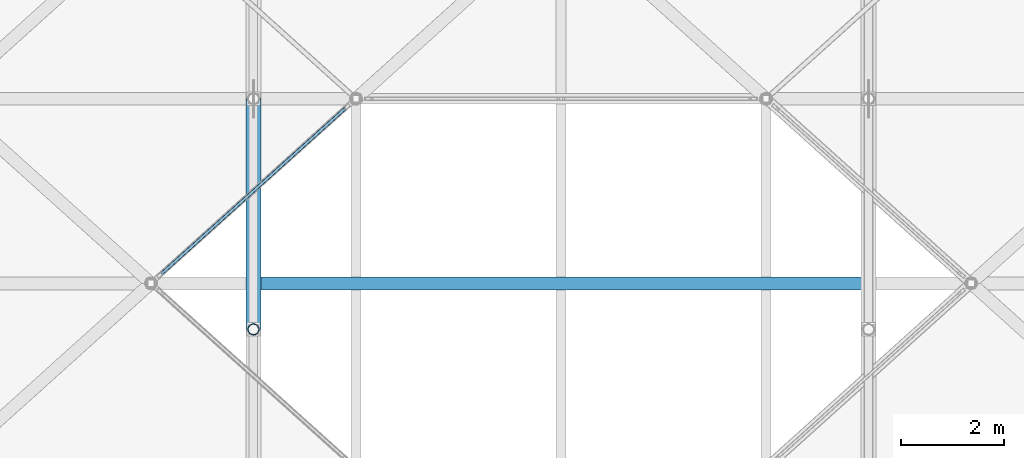
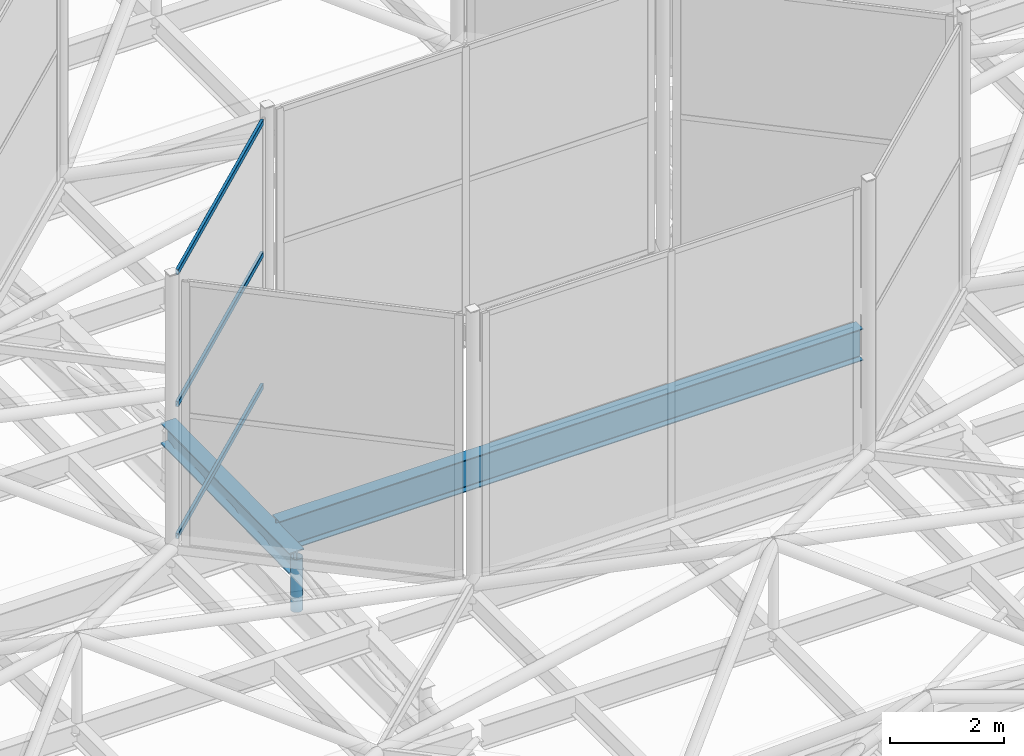
# One storey, part 90 of 239: 4 members, 2 beams, 1 element without a shape of its own.
"""IFC4 building model written with IfcOpenShell, lengths in metres."""

from ifc_helpers import new_model, si_unit, direction, frame, origin, origin_2d, place, context, subcontext, project, spatial, hollow_rectangle, hollow_circle, i_section, extrude, material, layer, layer_set, material_profile, profile_set, type_object, element, aggregate, save


model = new_model("IFC4")

# Units and contexts
model_context = context("Model", 3, precision=1e-05, world=origin(), true_north=direction((0.0, 1.0)))
body_context = subcontext(model_context, "Body", "Model", "MODEL_VIEW")
ifc_project = project(units=[si_unit("LENGTHUNIT", "METRE"), si_unit("AREAUNIT", "SQUARE_METRE"), si_unit("VOLUMEUNIT", "CUBIC_METRE"), si_unit("PLANEANGLEUNIT", "RADIAN"), si_unit("MASSUNIT", "GRAM", prefix="KILO")], contexts=[model_context])

# Site, building, storey
site_placement = place(None, origin())
site = spatial("IfcSite", under=ifc_project, at=site_placement, CompositionType="ELEMENT")
building_placement = place(site_placement, origin())
building = spatial("IfcBuilding", under=site, at=building_placement, Name="Dunvalen Ferry Terminal", CompositionType="ELEMENT")
storey_placement = place(building_placement, frame((0.0, 0.0, 9.840087890625)))
storey = spatial("IfcBuildingStorey", under=building, at=storey_placement, Name="L02", CompositionType="ELEMENT", Elevation=9.840087890625)

# Curtain wall, members
ifc_material_1 = material(Name="Anodised marine aluminium and solar-control glazing", Category="aluminium")
ifc_layer = layer(ifc_material_1, 0.179931640625, Name="Anodised marine aluminium and solar-control glazing")
ifc_layer_set = layer_set([ifc_layer], Name="Anodised marine aluminium and solar-control glazing")
curtain_wall_type = type_object("IfcCurtainWallType", Name="ENV-CW-SYS-06", PredefinedType="NOTDEFINED", material=ifc_layer_set)
curtain_wall_placement = place(storey_placement, origin())
curtain_wall = element("IfcCurtainWall", 1, at=curtain_wall_placement, inside=storey, type_object=curtain_wall_type, Name="L02 Curtain Wall CW-HEX-25-SK-6", PredefinedType="NOTDEFINED")
ifc_material_2 = material(Name="Anodised marine aluminium EN AW-6063 T6", Category="aluminium")
ifc_material_profile_1 = material_profile(ifc_material_2, hollow_rectangle(XDim=0.06005859375, YDim=0.114990234375, WallThickness=0.0029296875, InnerFilletRadius=0.0029296875, OuterFilletRadius=0.006103515625, at=origin_2d()), Name="Anodised marine aluminium EN AW-6063 T6")
ifc_profile_set_1 = profile_set([ifc_material_profile_1], Name="Anodised marine aluminium EN AW-6063 T6")
member_type_1 = type_object("IfcMemberType", Name="ENV-CW-TRN-3", PredefinedType="USERDEFINED", material=ifc_profile_set_1)
member_1_placement = place(storey_placement, frame((49.7919921875, 68.212646484375, 1.169921875), z_axis=(-0.743319323261, -0.668936756104, 0.0), x_axis=(0.668936756104, -0.743319323261, 0.0)))
member_1 = element("IfcMember", 2, at=member_1_placement, type_object=member_type_1, Name="CW-06 transom 1.1", ObjectType="TRANSOM", PredefinedType="USERDEFINED", context=body_context, shape_type="SweptSolid", body=[
    extrude(hollow_rectangle(XDim=0.06005859375, YDim=0.114990234375, WallThickness=0.0029296875, InnerFilletRadius=0.0029296875, OuterFilletRadius=0.006103515625, at=origin_2d()), origin(), (0.0, 0.0, 1.0), 4.821533203125),
])
member_2_placement = place(storey_placement, frame((49.7919921875, 68.212646484375, 3.989990234375), z_axis=(-0.743319323261, -0.668936756104, 0.0), x_axis=(0.668936756104, -0.743319323261, 0.0)))
member_2 = element("IfcMember", 3, at=member_2_placement, type_object=member_type_1, Name="CW-06 transom 1.2", ObjectType="TRANSOM", PredefinedType="USERDEFINED", context=body_context, shape_type="SweptSolid", body=[
    extrude(hollow_rectangle(XDim=0.06005859375, YDim=0.114990234375, WallThickness=0.0029296875, InnerFilletRadius=0.0029296875, OuterFilletRadius=0.006103515625, at=origin_2d()), origin(), (0.0, 0.0, 1.0), 4.821533203125),
])
member_3_placement = place(storey_placement, frame((49.7919921875, 68.212646484375, 6.809814453125), z_axis=(-0.743319323261, -0.668936756104, 0.0), x_axis=(0.668936756104, -0.743319323261, 0.0)))
member_3 = element("IfcMember", 4, at=member_3_placement, type_object=member_type_1, Name="CW-06 transom 1.3", ObjectType="TRANSOM", PredefinedType="USERDEFINED", context=body_context, shape_type="SweptSolid", body=[
    extrude(hollow_rectangle(XDim=0.06005859375, YDim=0.114990234375, WallThickness=0.0029296875, InnerFilletRadius=0.0029296875, OuterFilletRadius=0.006103515625, at=origin_2d()), origin(), (0.0, 0.0, 1.0), 4.821533203125),
])
aggregate(curtain_wall, [member_1, member_2, member_3])

# Beams
ifc_material_3 = material(Name="Steel S355", Category="steel")
ifc_material_profile_2 = material_profile(ifc_material_3, i_section(OverallWidth=0.300048828125, OverallDepth=0.449951171875, WebThickness=0.013916015625, FlangeThickness=0.02587890625, FilletRadius=0.027099609375, at=origin_2d()), Name="Steel S355")
ifc_profile_set_2 = profile_set([ifc_material_profile_2], Name="Steel S355")
beam_type_1 = type_object("IfcBeamType", Name="STR-BM-HEB450", PredefinedType="BEAM", material=ifc_profile_set_2)
beam_1_placement = place(storey_placement, frame((48.0, 63.89990234375, 0.65869140625), z_axis=(0.0, 0.999907293085, 0.01361635908), x_axis=(-1.0, 0.0, 0.0)))
element("IfcBeam", 5, at=beam_1_placement, inside=storey, type_object=beam_type_1, Name="Departure Hall Tied-Arch Rib 04.4", PredefinedType="BEAM", context=body_context, shape_type="SweptSolid", body=[
    extrude(i_section(OverallWidth=0.300048828125, OverallDepth=0.449951171875, WebThickness=0.013916015625, FlangeThickness=0.02587890625, FilletRadius=0.027099609375, at=origin_2d()), origin(), (0.0, 0.0, 1.0), 4.50048828125),
])
ifc_material_profile_3 = material_profile(ifc_material_3, i_section(OverallWidth=0.253662109375, OverallDepth=0.68359375, WebThickness=0.012451171875, FlangeThickness=0.01904296875, FilletRadius=0.01513671875, at=origin_2d()), Name="Steel S355")
ifc_profile_set_3 = profile_set([ifc_material_profile_3], Name="Steel S355")
beam_type_2 = type_object("IfcBeamType", Name="STR-BM-UKB686", PredefinedType="BEAM", material=ifc_profile_set_3)
beam_2_placement = place(storey_placement, frame((48.10009765625, 64.800048828125, 0.658203125), z_axis=(1.0, 0.0, 0.0), x_axis=(0.0, 1.0, 0.0)))
element("IfcBeam", 6, at=beam_2_placement, inside=storey, type_object=beam_type_2, Name="Departure Hall Spine Girder B4.05", PredefinedType="BEAM", context=body_context, shape_type="SweptSolid", body=[
    extrude(i_section(OverallWidth=0.253662109375, OverallDepth=0.68359375, WebThickness=0.012451171875, FlangeThickness=0.01904296875, FilletRadius=0.01513671875, at=origin_2d()), origin(), (0.0, 0.0, 1.0), 11.7998046875),
])

# Member
ifc_material_profile_4 = material_profile(ifc_material_3, hollow_circle(Radius=0.109619140625, WallThickness=0.010009765625, at=origin_2d()), Name="Steel S355")
ifc_profile_set_4 = profile_set([ifc_material_profile_4], Name="Steel S355")
member_type_2 = type_object("IfcMemberType", Name="STR-MB-CHS219", PredefinedType="STRUT", material=ifc_profile_set_4)
member_4_placement = place(storey_placement, frame((48.0, 63.89990234375, -0.360107421875), z_axis=(0.0, 0.0, 1.0), x_axis=(1.0, 0.0, 0.0)))
element("IfcMember", 7, at=member_4_placement, inside=storey, type_object=member_type_2, Name="Departure Hall Arch Spandrel Strut 04.3", PredefinedType="STRUT", context=body_context, shape_type="SweptSolid", body=[
    extrude(hollow_circle(Radius=0.109619140625, WallThickness=0.010009765625, at=origin_2d()), origin(), (0.0, 0.0, 1.0), 1.130126953125),
])

save(model, "model.ifc")
